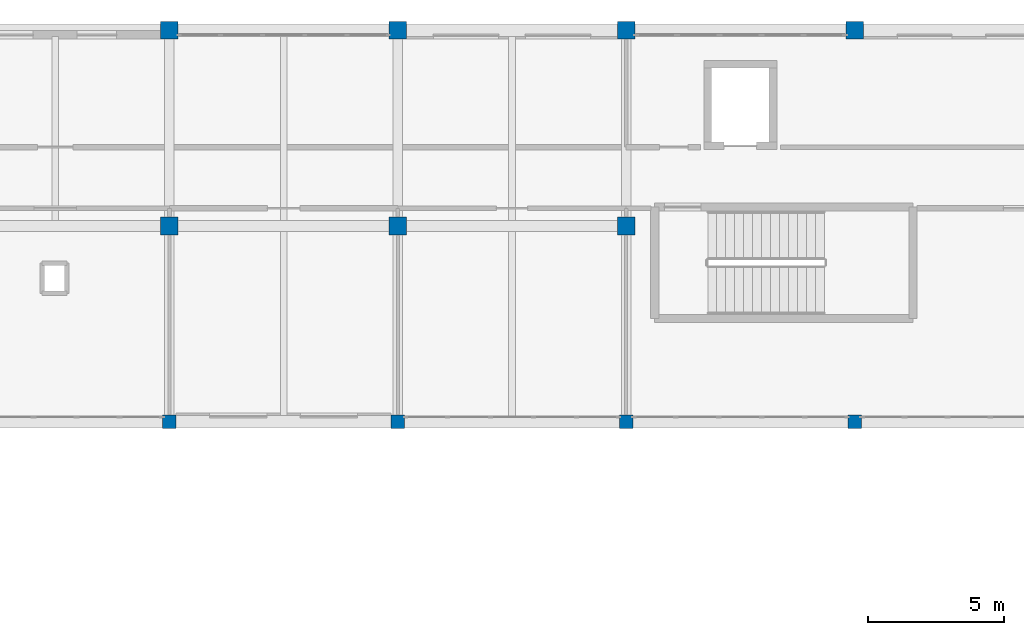
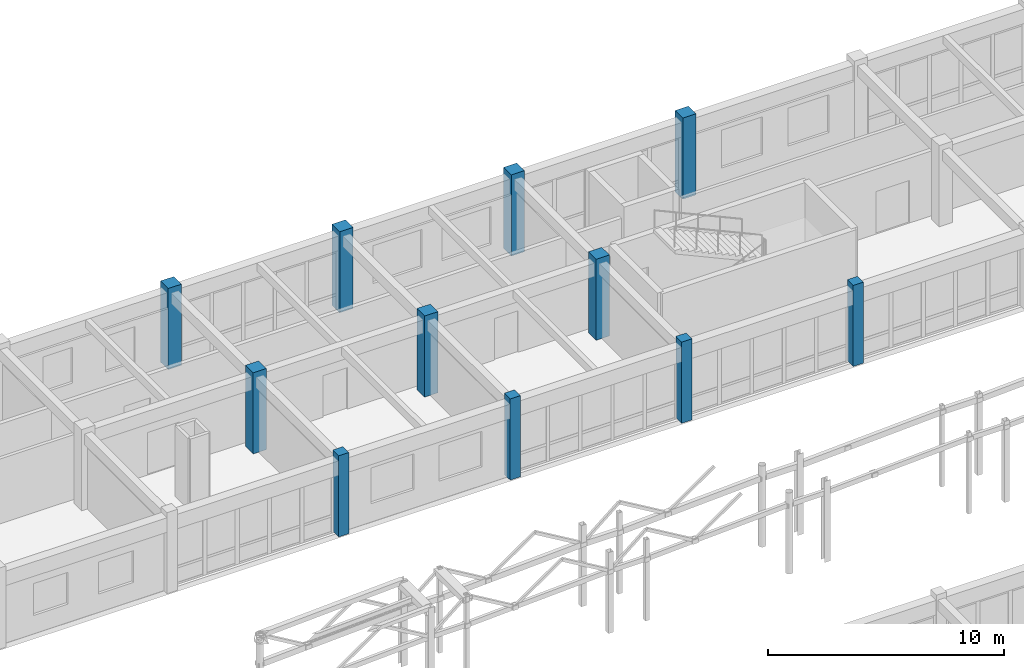
# One storey, part 11 of 89: 11 columns.
"""IFC4 building model written with IfcOpenShell, lengths in metres."""

from ifc_helpers import new_model, si_unit, direction, frame, origin, origin_2d, place, context, subcontext, project, spatial, rectangle, extrude, material, material_profile, profile_set, type_object, element, save


model = new_model("IFC4")

# Units and contexts
model_context = context("Model", 3, precision=1e-05, world=origin(), true_north=direction((0.0, 1.0)))
body_context = subcontext(model_context, "Body", "Model", "MODEL_VIEW")
ifc_project = project(units=[si_unit("LENGTHUNIT", "METRE"), si_unit("AREAUNIT", "SQUARE_METRE"), si_unit("VOLUMEUNIT", "CUBIC_METRE"), si_unit("PLANEANGLEUNIT", "RADIAN"), si_unit("MASSUNIT", "GRAM", prefix="KILO")], contexts=[model_context])

# Site, building, storey
site_placement = place(None, origin())
site = spatial("IfcSite", under=ifc_project, at=site_placement, CompositionType="ELEMENT")
building_placement = place(site_placement, origin())
building = spatial("IfcBuilding", under=site, at=building_placement, Name="Malvenik Polytechnic", CompositionType="ELEMENT")
storey_placement = place(building_placement, frame((0.0, 0.0, 13.5)))
storey = spatial("IfcBuildingStorey", under=building, at=storey_placement, Name="L03", CompositionType="ELEMENT", Elevation=13.5)

# Columns
ifc_material = material(Name="Concrete C35/45", Category="concrete")
ifc_material_profile_1 = material_profile(ifc_material, rectangle(XDim=0.64990234375, YDim=0.64990234375, at=origin_2d()), Name="RC COL 650x650")
ifc_profile_set_1 = profile_set([ifc_material_profile_1], Name="Concrete C35/45")
column_type_1 = type_object("IfcColumnType", Name="STR-COL-C-05", PredefinedType="COLUMN", material=ifc_profile_set_1)
for number, where, z_axis, x_axis, name in (
    (1, (33.60009765625, 122.39990234375, 0.0), (0.0, 0.0, 1.0), (1.0, 0.0, 0.0), "Column C-05 L03 (33.6,122.4)"),
    (2, (33.60009765625, 129.60009765625, 0.0), (0.0, 0.0, 1.0), (1.0, 0.0, 0.0), "Column C-05 L03 (33.6,129.6)"),
    (3, (42.0, 122.39990234375, 0.0), (0.0, 0.0, 1.0), (1.0, 0.0, 0.0), "Column C-05 L03 (42.0,122.4)"),
    (4, (42.0, 129.60009765625, 0.0), (0.0, 0.0, 1.0), (1.0, 0.0, 0.0), "Column C-05 L03 (42.0,129.6)"),
    (5, (50.39990234375, 122.39990234375, 0.0), (0.0, 0.0, 1.0), (1.0, 0.0, 0.0), "Column C-05 L03 (50.4,122.4)"),
    (6, (50.39990234375, 129.60009765625, 0.0), (0.0, 0.0, 1.0), (1.0, 0.0, 0.0), "Column C-05 L03 (50.4,129.6)"),
    (7, (58.800048828125, 129.60009765625, 0.0), (0.0, 0.0, 1.0), (1.0, 0.0, 0.0), "Column C-05 L03 (58.8,129.6)"),
):
    element("IfcColumn", number, at=place(storey_placement, frame(where, z_axis=z_axis, x_axis=x_axis)), inside=storey, type_object=column_type_1, Name=name, PredefinedType="COLUMN", context=body_context, shape_type="SweptSolid", body=[
        extrude(rectangle(XDim=0.64990234375, YDim=0.64990234375, at=origin_2d()), origin(), (0.0, 0.0, 1.0), 4.199951171875),
    ])
ifc_material_profile_2 = material_profile(ifc_material, rectangle(XDim=0.5, YDim=0.5, at=origin_2d()), Name="RC COL 500x500")
ifc_profile_set_2 = profile_set([ifc_material_profile_2], Name="Concrete C35/45")
column_type_2 = type_object("IfcColumnType", Name="STR-COL-C-08", PredefinedType="COLUMN", material=ifc_profile_set_2)
for number, where, z_axis, x_axis, name in (
    (8, (33.60009765625, 115.199951171875, 0.0), (0.0, 0.0, 1.0), (1.0, 0.0, 0.0), "Column C-08 L03 (33.6,115.2)"),
    (9, (42.0, 115.199951171875, 0.0), (0.0, 0.0, 1.0), (1.0, 0.0, 0.0), "Column C-08 L03 (42.0,115.2)"),
    (10, (50.39990234375, 115.199951171875, 0.0), (0.0, 0.0, 1.0), (1.0, 0.0, 0.0), "Column C-08 L03 (50.4,115.2)"),
    (11, (58.800048828125, 115.199951171875, 0.0), (0.0, 0.0, 1.0), (1.0, 0.0, 0.0), "Column C-08 L03 (58.8,115.2)"),
):
    element("IfcColumn", number, at=place(storey_placement, frame(where, z_axis=z_axis, x_axis=x_axis)), inside=storey, type_object=column_type_2, Name=name, PredefinedType="COLUMN", context=body_context, shape_type="SweptSolid", body=[
        extrude(rectangle(XDim=0.5, YDim=0.5, at=origin_2d()), origin(), (0.0, 0.0, 1.0), 4.199951171875),
    ])

save(model, "model.ifc")
